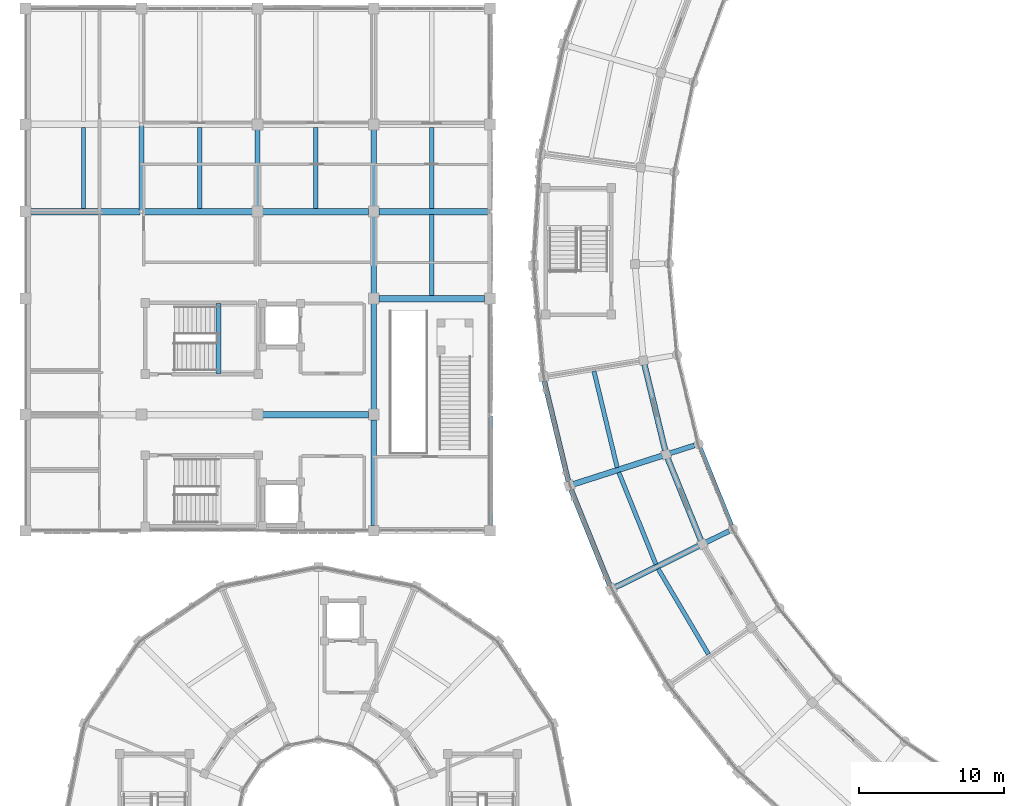
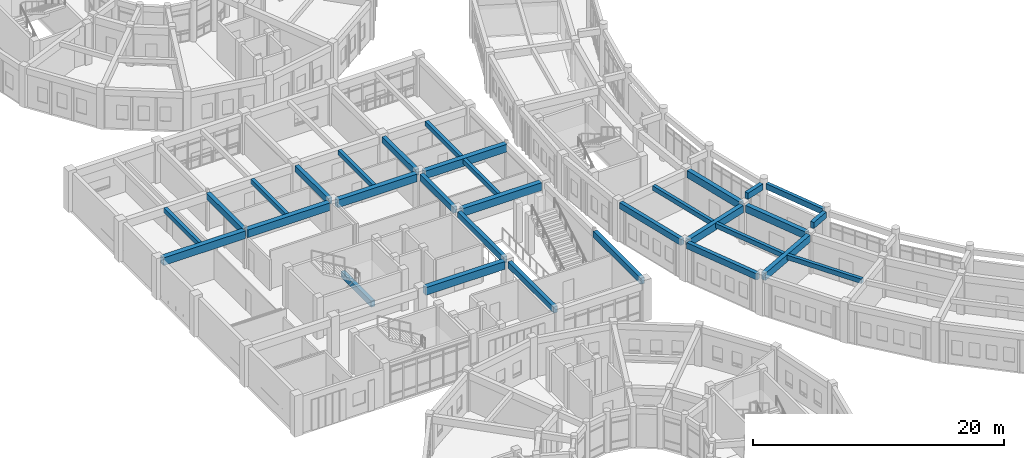
# One storey, part 23 of 159: 31 beams.
"""IFC4 building model written with IfcOpenShell, lengths in metres."""

from ifc_helpers import new_model, si_unit, direction, frame, origin, origin_2d, place, context, subcontext, project, spatial, rectangle, extrude, material, material_profile, profile_set, type_object, element, save


model = new_model("IFC4")

# Units and contexts
model_context = context("Model", 3, precision=1e-05, world=origin(), true_north=direction((0.0, 1.0)))
body_context = subcontext(model_context, "Body", "Model", "MODEL_VIEW")
ifc_project = project(units=[si_unit("LENGTHUNIT", "METRE"), si_unit("AREAUNIT", "SQUARE_METRE"), si_unit("VOLUMEUNIT", "CUBIC_METRE"), si_unit("PLANEANGLEUNIT", "RADIAN"), si_unit("MASSUNIT", "GRAM", prefix="KILO")], contexts=[model_context])

# Site, building, storey
site_placement = place(None, origin())
site = spatial("IfcSite", under=ifc_project, at=site_placement, CompositionType="ELEMENT")
building_placement = place(site_placement, origin())
building = spatial("IfcBuilding", under=site, at=building_placement, Name="Celadon Cloister-Ring School", CompositionType="ELEMENT")
storey_placement = place(building_placement, frame((0.0, 0.0, 4.5)))
storey = spatial("IfcBuildingStorey", under=building, at=storey_placement, Name="L01", CompositionType="ELEMENT", Elevation=4.5)

# Beams
ifc_material_1 = material(Name="Concrete C35/45", Category="concrete")
ifc_material_profile_1 = material_profile(ifc_material_1, rectangle(XDim=0.35009765625, YDim=0.60009765625, at=origin_2d()), Name="RC350X600")
ifc_profile_set_1 = profile_set([ifc_material_profile_1], Name="Concrete C35/45")
beam_type_1 = type_object("IfcBeamType", Name="BT-02", PredefinedType="BEAM", material=ifc_profile_set_1)
beam_1_placement = place(storey_placement, frame((44.412109375, 45.340087890625, 4.35009765625), z_axis=(0.952385798673, 0.304895540286, 0.0), x_axis=(-0.304895540286, 0.952385798673, 0.0)))
element("IfcBeam", 1, at=beam_1_placement, inside=storey, type_object=beam_type_1, Name="Beam 0217", PredefinedType="BEAM", context=body_context, shape_type="SweptSolid", body=[
    extrude(rectangle(XDim=0.35009765625, YDim=0.60009765625, at=origin_2d()), origin(), (0.0, 0.0, 1.0), 1.7744140625),
])
beam_2_placement = place(storey_placement, frame((46.89794921875, 39.197998046875, 4.35009765625), z_axis=(0.896808796735, 0.442418333819, 0.0), x_axis=(-0.442418333819, 0.896808796735, 0.0)))
element("IfcBeam", 2, at=beam_2_placement, inside=storey, type_object=beam_type_1, Name="Beam 0219", PredefinedType="BEAM", context=body_context, shape_type="SweptSolid", body=[
    extrude(rectangle(XDim=0.35009765625, YDim=0.60009765625, at=origin_2d()), origin(), (0.0, 0.0, 1.0), 1.774169921875),
])
beam_3_placement = place(storey_placement, frame((8.0, 62.10009765625, 3.43994140625), z_axis=(0.0, 1.0, 0.0), x_axis=(-1.0, 0.0, 0.0)))
element("IfcBeam", 3, at=beam_3_placement, inside=storey, type_object=beam_type_1, Name="Beam 1535", PredefinedType="BEAM", context=body_context, shape_type="SweptSolid", body=[
    extrude(rectangle(XDim=0.35009765625, YDim=0.60009765625, at=origin_2d()), origin(), (0.0, 0.0, 1.0), 5.7998046875),
])
beam_4_placement = place(storey_placement, frame((16.0, 62.35009765625, 3.43994140625), z_axis=(0.0, 1.0, 0.0), x_axis=(-1.0, 0.0, 0.0)))
element("IfcBeam", 4, at=beam_4_placement, inside=storey, type_object=beam_type_1, Name="Beam 1537", PredefinedType="BEAM", context=body_context, shape_type="SweptSolid", body=[
    extrude(rectangle(XDim=0.35009765625, YDim=0.60009765625, at=origin_2d()), origin(), (0.0, 0.0, 1.0), 5.2998046875),
])
for number, where, z_axis, x_axis, name in (
    (5, (24.0, 40.35009765625, 3.43994140625), (0.0, 1.0, 0.0), (-1.0, 0.0, 0.0), "Beam 1539"),
    (6, (24.0, 48.35009765625, 3.43994140625), (0.0, 1.0, 0.0), (-1.0, 0.0, 0.0), "Beam 1540"),
):
    element("IfcBeam", number, at=place(storey_placement, frame(where, z_axis=z_axis, x_axis=x_axis)), inside=storey, type_object=beam_type_1, Name=name, PredefinedType="BEAM", context=body_context, shape_type="SweptSolid", body=[
        extrude(rectangle(XDim=0.35009765625, YDim=0.60009765625, at=origin_2d()), origin(), (0.0, 0.0, 1.0), 7.2998046875),
    ])
for number, where, z_axis, x_axis, name in (
    (7, (24.0, 56.35009765625, 3.43994140625), (0.0, 1.0, 0.0), (-1.0, 0.0, 0.0), "Beam 1541"),
    (8, (24.0, 62.35009765625, 3.43994140625), (0.0, 1.0, 0.0), (-1.0, 0.0, 0.0), "Beam 1542"),
):
    element("IfcBeam", number, at=place(storey_placement, frame(where, z_axis=z_axis, x_axis=x_axis)), inside=storey, type_object=beam_type_1, Name=name, PredefinedType="BEAM", context=body_context, shape_type="SweptSolid", body=[
        extrude(rectangle(XDim=0.35009765625, YDim=0.60009765625, at=origin_2d()), origin(), (0.0, 0.0, 1.0), 5.2998046875),
    ])
beam_5_placement = place(storey_placement, frame((32.0, 40.35009765625, 3.43994140625), z_axis=(0.0, 1.0, 0.0), x_axis=(-1.0, 0.0, 0.0)))
element("IfcBeam", 9, at=beam_5_placement, inside=storey, type_object=beam_type_1, Name="Beam 1544", PredefinedType="BEAM", context=body_context, shape_type="SweptSolid", body=[
    extrude(rectangle(XDim=0.35009765625, YDim=0.60009765625, at=origin_2d()), origin(), (0.0, 0.0, 1.0), 7.56494140625),
])
beam_6_placement = place(storey_placement, frame((13.300048828125, 50.85009765625, 1.39990234375), z_axis=(0.0, 1.0, 0.0), x_axis=(-1.0, 0.0, 0.0)))
element("IfcBeam", 10, at=beam_6_placement, inside=storey, type_object=beam_type_1, Name="Stair Landing Beam 1727", PredefinedType="BEAM", context=body_context, shape_type="SweptSolid", body=[
    extrude(rectangle(XDim=0.35009765625, YDim=0.60009765625, at=origin_2d()), origin(), (0.0, 0.0, 1.0), 4.7998046875),
])
ifc_material_2 = material(Name="Concrete C35/45", Category="concrete")
ifc_material_profile_2 = material_profile(ifc_material_2, rectangle(XDim=0.449951171875, YDim=0.75, at=origin_2d()), Name="RC450X750")
ifc_profile_set_2 = profile_set([ifc_material_profile_2], Name="Concrete C35/45")
beam_type_2 = type_object("IfcBeamType", Name="GT-02", PredefinedType="USERDEFINED", material=ifc_profile_set_2)
for number, where, z_axis, x_axis, name in (
    (11, (16.35009765625, 48.0, 3.364990234375), (1.0, 0.0, 0.0), (0.0, 1.0, 0.0), "Beam 1521"),
    (12, (24.35009765625, 56.0, 3.364990234375), (1.0, 0.0, 0.0), (0.0, 1.0, 0.0), "Beam 1522"),
):
    element("IfcBeam", number, at=place(storey_placement, frame(where, z_axis=z_axis, x_axis=x_axis)), inside=storey, type_object=beam_type_2, Name=name, ObjectType="GIRDER", PredefinedType="USERDEFINED", context=body_context, shape_type="SweptSolid", body=[
        extrude(rectangle(XDim=0.449951171875, YDim=0.75, at=origin_2d()), origin(), (0.0, 0.0, 1.0), 7.2998046875),
    ])
for number, where, z_axis, x_axis, name in (
    (13, (0.35009765625, 62.0, 3.364990234375), (1.0, 0.0, 0.0), (0.0, 1.0, 0.0), "Beam 1523"),
    (14, (8.10009765625, 62.0, 3.364990234375), (1.0, 0.0, 0.0), (0.0, 1.0, 0.0), "Beam 1524"),
):
    element("IfcBeam", number, at=place(storey_placement, frame(where, z_axis=z_axis, x_axis=x_axis)), inside=storey, type_object=beam_type_2, Name=name, ObjectType="GIRDER", PredefinedType="USERDEFINED", context=body_context, shape_type="SweptSolid", body=[
        extrude(rectangle(XDim=0.449951171875, YDim=0.75, at=origin_2d()), origin(), (0.0, 0.0, 1.0), 7.5498046875),
    ])
beam_7_placement = place(storey_placement, frame((16.35009765625, 62.0, 3.364990234375), z_axis=(1.0, 0.0, 0.0), x_axis=(0.0, 1.0, 0.0)))
element("IfcBeam", 15, at=beam_7_placement, inside=storey, type_object=beam_type_2, Name="Beam 1525", ObjectType="GIRDER", PredefinedType="USERDEFINED", context=body_context, shape_type="SweptSolid", body=[
    extrude(rectangle(XDim=0.449951171875, YDim=0.75, at=origin_2d()), origin(), (0.0, 0.0, 1.0), 7.2998046875),
])
beam_8_placement = place(storey_placement, frame((24.35009765625, 62.0, 3.364990234375), z_axis=(1.0, 0.0, 0.0), x_axis=(0.0, 1.0, 0.0)))
element("IfcBeam", 16, at=beam_8_placement, inside=storey, type_object=beam_type_2, Name="Beam 1526", ObjectType="GIRDER", PredefinedType="USERDEFINED", context=body_context, shape_type="SweptSolid", body=[
    extrude(rectangle(XDim=0.449951171875, YDim=0.75, at=origin_2d()), origin(), (0.0, 0.0, 1.0), 7.56494140625),
])
ifc_material_3 = material(Name="Concrete C35/45", Category="concrete")
ifc_material_profile_3 = material_profile(ifc_material_3, rectangle(XDim=0.39990234375, YDim=0.699951171875, at=origin_2d()), Name="RC400X700")
ifc_profile_set_3 = profile_set([ifc_material_profile_3], Name="Concrete C35/45")
beam_type_3 = type_object("IfcBeamType", Name="GT-03", PredefinedType="USERDEFINED", material=ifc_profile_set_3)
for number, where, z_axis, x_axis, name in (
    (17, (37.77099609375, 43.2099609375, 3.429931640625), (0.952209894137, 0.305444458957, 0.0), (-0.305444458957, 0.952209894137, 0.0), "Beam 0216"),
    (18, (40.64404296875, 36.110107421875, 3.429931640625), (0.896658258814, 0.442723352559, 0.0), (-0.442723352559, 0.896658258814, 0.0), "Beam 0218"),
):
    element("IfcBeam", number, at=place(storey_placement, frame(where, z_axis=z_axis, x_axis=x_axis)), inside=storey, type_object=beam_type_3, Name=name, ObjectType="GIRDER", PredefinedType="USERDEFINED", context=body_context, shape_type="SweptSolid", body=[
        extrude(rectangle(XDim=0.39990234375, YDim=0.699951171875, at=origin_2d()), origin(), (0.0, 0.0, 1.0), 6.423828125),
    ])
for number, where, z_axis, x_axis, name in (
    (19, (42.654052734375, 51.469970703125, 3.429931640625), (0.234083879197, -0.972216404665, 0.0), (0.972216404665, 0.234083879197, 0.0), "Beam 0298"),
    (20, (44.2529296875, 45.0009765625, 3.429931640625), (0.375220519631, -0.926935575781, 0.0), (0.926935575781, 0.375220519631, 0.0), "Beam 0302"),
):
    element("IfcBeam", number, at=place(storey_placement, frame(where, z_axis=z_axis, x_axis=x_axis)), inside=storey, type_object=beam_type_3, Name=name, ObjectType="GIRDER", PredefinedType="USERDEFINED", context=body_context, shape_type="SweptSolid", body=[
        extrude(rectangle(XDim=0.39990234375, YDim=0.699951171875, at=origin_2d()), origin(), (0.0, 0.0, 1.0), 6.116943359375),
    ])
ifc_material_4 = material(Name="Concrete C35/45", Category="concrete")
ifc_material_profile_4 = material_profile(ifc_material_4, rectangle(XDim=0.300048828125, YDim=0.449951171875, at=origin_2d()), Name="RC300X450")
ifc_profile_set_4 = profile_set([ifc_material_profile_4], Name="Concrete C35/45")
beam_type_4 = type_object("IfcBeamType", Name="JT-01", PredefinedType="JOIST", material=ifc_profile_set_4)
beam_9_placement = place(storey_placement, frame((39.177001953125, 51.001953125, 3.554931640625), z_axis=(0.234105107491, -0.972211293211, 0.0), x_axis=(0.972211293211, 0.234105107491, 0.0)))
element("IfcBeam", 21, at=beam_9_placement, inside=storey, type_object=beam_type_4, Name="Beam 0300", PredefinedType="JOIST", context=body_context, shape_type="SweptSolid", body=[
    extrude(rectangle(XDim=0.300048828125, YDim=0.449951171875, at=origin_2d()), origin(), (0.0, 0.0, 1.0), 6.8349609375),
])
beam_10_placement = place(storey_placement, frame((40.884033203125, 44.02490234375, 3.554931640625), z_axis=(0.374947237953, -0.927046152439, 0.0), x_axis=(0.927046152439, 0.374947237953, 0.0)))
element("IfcBeam", 22, at=beam_10_placement, inside=storey, type_object=beam_type_4, Name="Beam 0304", PredefinedType="JOIST", context=body_context, shape_type="SweptSolid", body=[
    extrude(rectangle(XDim=0.300048828125, YDim=0.449951171875, at=origin_2d()), origin(), (0.0, 0.0, 1.0), 6.835693359375),
])
beam_11_placement = place(storey_placement, frame((43.60205078125, 37.375, 3.554931640625), z_axis=(0.507998611561, -0.861357887671, 0.0), x_axis=(0.861357887671, 0.507998611561, 0.0)))
element("IfcBeam", 23, at=beam_11_placement, inside=storey, type_object=beam_type_4, Name="Beam 0308", PredefinedType="JOIST", context=body_context, shape_type="SweptSolid", body=[
    extrude(rectangle(XDim=0.300048828125, YDim=0.449951171875, at=origin_2d()), origin(), (0.0, 0.0, 1.0), 6.83447265625),
])
for number, where, z_axis, x_axis, name in (
    (24, (4.0, 62.199951171875, 3.514892578125), (0.0, 1.0, 0.0), (-1.0, 0.0, 0.0), "Beam 1549"),
    (25, (12.0, 62.199951171875, 3.514892578125), (0.0, 1.0, 0.0), (-1.0, 0.0, 0.0), "Beam 1551"),
    (26, (20.0, 62.199951171875, 3.514892578125), (0.0, 1.0, 0.0), (-1.0, 0.0, 0.0), "Beam 1553"),
    (27, (28.0, 56.199951171875, 3.514892578125), (0.0, 1.0, 0.0), (-1.0, 0.0, 0.0), "Beam 1555"),
    (28, (28.0, 62.199951171875, 3.514892578125), (0.0, 1.0, 0.0), (-1.0, 0.0, 0.0), "Beam 1556"),
):
    element("IfcBeam", number, at=place(storey_placement, frame(where, z_axis=z_axis, x_axis=x_axis)), inside=storey, type_object=beam_type_4, Name=name, PredefinedType="JOIST", context=body_context, shape_type="SweptSolid", body=[
        extrude(rectangle(XDim=0.300048828125, YDim=0.449951171875, at=origin_2d()), origin(), (0.0, 0.0, 1.0), 5.60009765625),
    ])
ifc_material_5 = material(Name="Concrete C35/45", Category="concrete")
ifc_material_profile_5 = material_profile(ifc_material_5, rectangle(XDim=0.35009765625, YDim=0.60009765625, at=origin_2d()), Name="RC350X600")
ifc_profile_set_5 = profile_set([ifc_material_profile_5], Name="Concrete C35/45")
beam_type_5 = type_object("IfcBeamType", Name="SP-01", PredefinedType="SPANDREL", material=ifc_profile_set_5)
beam_12_placement = place(storey_placement, frame((35.751953125, 50.31494140625, 3.47998046875), z_axis=(0.234155521866, -0.972199152221, 0.0), x_axis=(0.972199152221, 0.234155521866, 0.0)))
element("IfcBeam", 29, at=beam_12_placement, inside=storey, type_object=beam_type_5, Name="Beam 0297", PredefinedType="SPANDREL", context=body_context, shape_type="SweptSolid", body=[
    extrude(rectangle(XDim=0.35009765625, YDim=0.60009765625, at=origin_2d()), origin(), (0.0, 0.0, 1.0), 7.1025390625),
])
beam_13_placement = place(storey_placement, frame((37.597900390625, 42.840087890625, 3.47998046875), z_axis=(0.375026116818, -0.927014245686, 0.0), x_axis=(0.927014245686, 0.375026116818, 0.0)))
element("IfcBeam", 30, at=beam_13_placement, inside=storey, type_object=beam_type_5, Name="Beam 0301", PredefinedType="SPANDREL", context=body_context, shape_type="SweptSolid", body=[
    extrude(rectangle(XDim=0.35009765625, YDim=0.60009765625, at=origin_2d()), origin(), (0.0, 0.0, 1.0), 7.103759765625),
])
ifc_material_6 = material(Name="Concrete C35/45", Category="concrete")
ifc_material_profile_6 = material_profile(ifc_material_6, rectangle(XDim=0.300048828125, YDim=0.550048828125, at=origin_2d()), Name="RC300X550")
ifc_profile_set_6 = profile_set([ifc_material_profile_6], Name="Concrete C35/45")
beam_type_6 = type_object("IfcBeamType", Name="SP-02", PredefinedType="SPANDREL", material=ifc_profile_set_6)
beam_14_placement = place(storey_placement, frame((46.5009765625, 45.695068359375, 4.375), z_axis=(0.374950797553, -0.927044712738, 0.0), x_axis=(0.927044712738, 0.374950797553, 0.0)))
element("IfcBeam", 31, at=beam_14_placement, inside=storey, type_object=beam_type_6, Name="Beam 0303", PredefinedType="SPANDREL", context=body_context, shape_type="SweptSolid", body=[
    extrude(rectangle(XDim=0.300048828125, YDim=0.550048828125, at=origin_2d()), origin(), (0.0, 0.0, 1.0), 5.71826171875),
])

save(model, "model.ifc")
